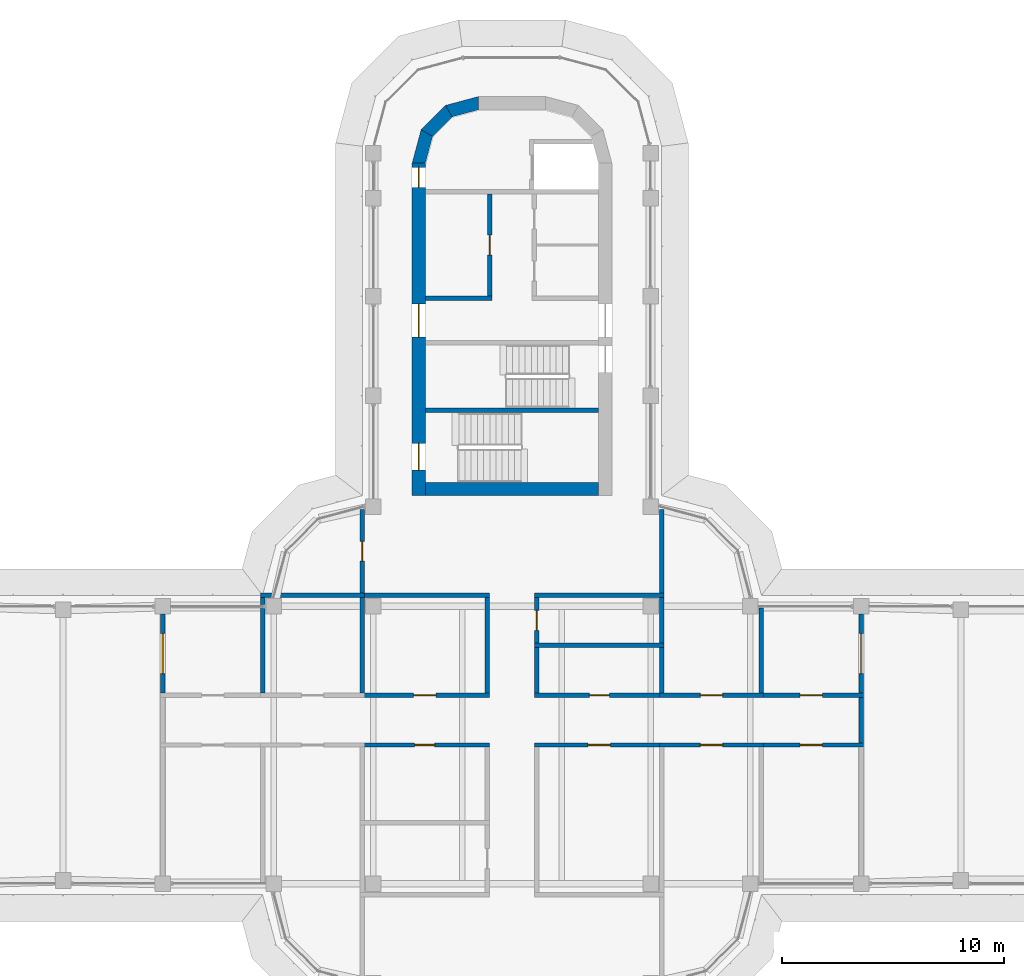
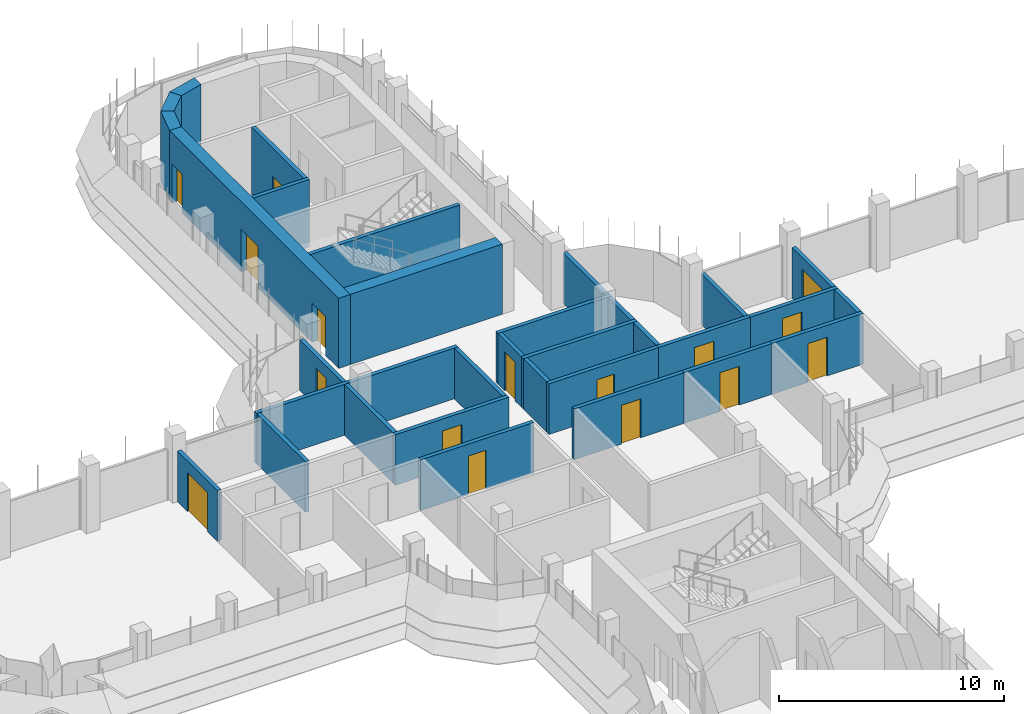
# One storey, part 14 of 18: 33 walls, 16 doors, 16 openings.
"""IFC4 building model written with IfcOpenShell, lengths in metres."""

from ifc_helpers import new_model, si_unit, direction, frame, frame_2d, origin, place, context, subcontext, project, spatial, polyline, rectangle, outline, extrude, material, layer, layer_set, type_object, element, fill, save


model = new_model("IFC4")

# Units and contexts
model_context = context("Model", 3, precision=1e-05, world=origin(), true_north=direction((0.0, 1.0)))
body_context = subcontext(model_context, "Body", "Model", "MODEL_VIEW")
ifc_project = project(units=[si_unit("LENGTHUNIT", "METRE"), si_unit("AREAUNIT", "SQUARE_METRE"), si_unit("VOLUMEUNIT", "CUBIC_METRE"), si_unit("PLANEANGLEUNIT", "RADIAN"), si_unit("MASSUNIT", "GRAM", prefix="KILO")], contexts=[model_context])

# Site, building, storey
site_placement = place(None, origin())
site = spatial("IfcSite", under=ifc_project, at=site_placement, CompositionType="ELEMENT")
building_placement = place(site_placement, origin())
building = spatial("IfcBuilding", under=site, at=building_placement, Name="Zarbagh Exchange Tower", CompositionType="ELEMENT")
storey_placement = place(building_placement, frame((0.0, 0.0, 210.60009765625)))
storey = spatial("IfcBuildingStorey", under=building, at=storey_placement, Name="L51", CompositionType="ELEMENT", Elevation=210.60009765625)

# Wall, opening, door
ifc_material_1 = material(Name="Fire-rated plasterboard partition")
ifc_layer_1 = layer(ifc_material_1, 0.199951171875)
ifc_layer_set_1 = layer_set([ifc_layer_1], Name="RATED PARTITION 200")
wall_type_1 = type_object("IfcWallType", Name="RATED PARTITION 200", PredefinedType="PARTITIONING", material=ifc_layer_set_1)
wall_1_placement = place(storey_placement, frame((1.02490234375, 2.25, 0.0), z_axis=(0.0, 0.0, 1.0), x_axis=(1.0, 0.0, 0.0)))
wall_1 = element("IfcWall", 1, at=wall_1_placement, inside=storey, type_object=wall_type_1, Name="Partition W-2201", PredefinedType="PARTITIONING", context=body_context, shape_type="SweptSolid", body=[
    extrude(rectangle(XDim=5.8251953125, YDim=0.199951171875, at=frame_2d((2.91259765625, 0.0))), origin(), (0.0, 0.0, 1.0), 2.75),
])
opening_1_placement = place(wall_1_placement, frame((2.46240234375, 0.0, 0.0)))
opening_1 = element("IfcOpeningElement", 2, at=opening_1_placement, cuts=wall_1, Name="Opening D-2205", PredefinedType="OPENING", context=body_context, shape_type="SweptSolid", body=[
    extrude(rectangle(XDim=0.89990234375, YDim=2.10009765625, at=frame_2d((0.449951171875, 1.050048828125))), frame((0.0, 0.10986328125, 0.0), z_axis=(0.0, -1.0, 0.0), x_axis=(1.0, 0.0, 0.0)), (0.0, 0.0, 1.0), 0.219970703125),
])
ifc_material_2 = material(Name="Timber door leaf", Category="wood")
door_type_1 = type_object("IfcDoorType", Name="DOOR 900 X 2100", OperationType="NOTDEFINED", PredefinedType="DOOR", material=ifc_material_2)
door_1_placement = place(opening_1_placement, origin())
door_1 = element("IfcDoor", 3, at=door_1_placement, inside=storey, type_object=door_type_1, Name="Door D-2205", OperationType="SINGLE_SWING_RIGHT", OverallHeight=2.10009765625, OverallWidth=0.89990234375, PredefinedType="DOOR", context=body_context, shape_type="SweptSolid", body=[
    extrude(rectangle(XDim=0.89990234375, YDim=2.10009765625, at=frame_2d((0.449951171875, 1.050048828125))), frame((0.0, 0.02490234375, 0.0), z_axis=(0.0, -1.0, 0.0), x_axis=(1.0, 0.0, 0.0)), (0.0, 0.0, 1.0), 0.050048828125),
])
fill(opening_1, door_1)

wall_2_placement = place(storey_placement, frame((6.64990234375, 2.25, 0.0), z_axis=(0.0, 0.0, 1.0), x_axis=(1.0, 0.0, 0.0)))
wall_2 = element("IfcWall", 4, at=wall_2_placement, inside=storey, type_object=wall_type_1, Name="Partition W-2202", PredefinedType="PARTITIONING", context=body_context, shape_type="SweptSolid", body=[
    extrude(rectangle(XDim=4.7001953125, YDim=0.199951171875, at=frame_2d((2.35009765625, 0.0))), origin(), (0.0, 0.0, 1.0), 2.75),
])
opening_2_placement = place(wall_2_placement, frame((1.85009765625, 0.0, 0.0)))
opening_2 = element("IfcOpeningElement", 5, at=opening_2_placement, cuts=wall_2, Name="Opening D-2207", PredefinedType="OPENING", context=body_context, shape_type="SweptSolid", body=[
    extrude(rectangle(XDim=1.0, YDim=2.10009765625, at=frame_2d((0.5, 1.050048828125))), frame((0.0, 0.10986328125, 0.0), z_axis=(0.0, -1.0, 0.0), x_axis=(1.0, 0.0, 0.0)), (0.0, 0.0, 1.0), 0.219970703125),
])
ifc_material_3 = material(Name="Steel door set", Category="steel")
door_type_2 = type_object("IfcDoorType", Name="FIRE DOOR 1000 X 2100 FD30S", OperationType="NOTDEFINED", PredefinedType="DOOR", material=ifc_material_3)
door_2_placement = place(opening_2_placement, origin())
door_2 = element("IfcDoor", 6, at=door_2_placement, inside=storey, type_object=door_type_2, Name="Door D-2207", OperationType="SINGLE_SWING_RIGHT", OverallHeight=2.10009765625, OverallWidth=1.0, PredefinedType="DOOR", context=body_context, shape_type="SweptSolid", body=[
    extrude(rectangle(XDim=1.0, YDim=2.10009765625, at=frame_2d((0.5, 1.050048828125))), frame((0.0, 0.02490234375, 0.0), z_axis=(0.0, -1.0, 0.0), x_axis=(1.0, 0.0, 0.0)), (0.0, 0.0, 1.0), 0.050048828125),
])
fill(opening_2, door_2)

wall_3_placement = place(storey_placement, frame((-6.85009765625, 2.25, 0.0), z_axis=(0.0, 0.0, 1.0), x_axis=(1.0, 0.0, 0.0)))
wall_3 = element("IfcWall", 7, at=wall_3_placement, inside=storey, type_object=wall_type_1, Name="Partition W-2203", PredefinedType="PARTITIONING", context=body_context, shape_type="SweptSolid", body=[
    extrude(rectangle(XDim=5.8251953125, YDim=0.199951171875, at=frame_2d((2.91259765625, 0.0))), origin(), (0.0, 0.0, 1.0), 2.75),
])
opening_3_placement = place(wall_3_placement, frame((2.41259765625, 0.0, 0.0)))
opening_3 = element("IfcOpeningElement", 8, at=opening_3_placement, cuts=wall_3, Name="Opening D-2208", PredefinedType="OPENING", context=body_context, shape_type="SweptSolid", body=[
    extrude(rectangle(XDim=1.0, YDim=2.10009765625, at=frame_2d((0.5, 1.050048828125))), frame((0.0, 0.10986328125, 0.0), z_axis=(0.0, -1.0, 0.0), x_axis=(1.0, 0.0, 0.0)), (0.0, 0.0, 1.0), 0.219970703125),
])
door_3_placement = place(opening_3_placement, origin())
door_3 = element("IfcDoor", 9, at=door_3_placement, inside=storey, type_object=door_type_2, Name="Door D-2208", OperationType="SINGLE_SWING_RIGHT", OverallHeight=2.10009765625, OverallWidth=1.0, PredefinedType="DOOR", context=body_context, shape_type="SweptSolid", body=[
    extrude(rectangle(XDim=1.0, YDim=2.10009765625, at=frame_2d((0.5, 1.050048828125))), frame((0.0, 0.02490234375, 0.0), z_axis=(0.0, -1.0, 0.0), x_axis=(1.0, 0.0, 0.0)), (0.0, 0.0, 1.0), 0.050048828125),
])
fill(opening_3, door_3)

wall_4_placement = place(storey_placement, frame((6.85009765625, 0.0, 0.0), z_axis=(0.0, 0.0, 1.0), x_axis=(-1.0, 0.0, 0.0)))
wall_4 = element("IfcWall", 10, at=wall_4_placement, inside=storey, type_object=wall_type_1, Name="Partition W-2205", PredefinedType="PARTITIONING", context=body_context, shape_type="SweptSolid", body=[
    extrude(rectangle(XDim=5.8251953125, YDim=0.199951171875, at=frame_2d((2.91259765625, 0.0))), origin(), (0.0, 0.0, 1.0), 2.75),
])
opening_4_placement = place(wall_4_placement, frame((2.41259765625, 0.0, 0.0)))
opening_4 = element("IfcOpeningElement", 11, at=opening_4_placement, cuts=wall_4, Name="Opening D-2211", PredefinedType="OPENING", context=body_context, shape_type="SweptSolid", body=[
    extrude(rectangle(XDim=1.0, YDim=2.10009765625, at=frame_2d((0.5, 1.050048828125))), frame((0.0, 0.10986328125, 0.0), z_axis=(0.0, -1.0, 0.0), x_axis=(1.0, 0.0, 0.0)), (0.0, 0.0, 1.0), 0.219970703125),
])
door_4_placement = place(opening_4_placement, origin())
door_4 = element("IfcDoor", 12, at=door_4_placement, inside=storey, type_object=door_type_2, Name="Door D-2211", OperationType="SINGLE_SWING_RIGHT", OverallHeight=2.10009765625, OverallWidth=1.0, PredefinedType="DOOR", context=body_context, shape_type="SweptSolid", body=[
    extrude(rectangle(XDim=1.0, YDim=2.10009765625, at=frame_2d((0.5, 1.050048828125))), frame((0.0, 0.02490234375, 0.0), z_axis=(0.0, -1.0, 0.0), x_axis=(1.0, 0.0, 0.0)), (0.0, 0.0, 1.0), 0.050048828125),
])
fill(opening_4, door_4)

wall_5_placement = place(storey_placement, frame((11.35009765625, 0.0, 0.0), z_axis=(0.0, 0.0, 1.0), x_axis=(-1.0, 0.0, 0.0)))
wall_5 = element("IfcWall", 13, at=wall_5_placement, inside=storey, type_object=wall_type_1, Name="Partition W-2206", PredefinedType="PARTITIONING", context=body_context, shape_type="SweptSolid", body=[
    extrude(rectangle(XDim=4.7001953125, YDim=0.199951171875, at=frame_2d((2.35009765625, 0.0))), origin(), (0.0, 0.0, 1.0), 2.75),
])
opening_5_placement = place(wall_5_placement, frame((1.85009765625, 0.0, 0.0)))
opening_5 = element("IfcOpeningElement", 14, at=opening_5_placement, cuts=wall_5, Name="Opening D-2212", PredefinedType="OPENING", context=body_context, shape_type="SweptSolid", body=[
    extrude(rectangle(XDim=1.0, YDim=2.10009765625, at=frame_2d((0.5, 1.050048828125))), frame((0.0, 0.10986328125, 0.0), z_axis=(0.0, -1.0, 0.0), x_axis=(1.0, 0.0, 0.0)), (0.0, 0.0, 1.0), 0.219970703125),
])
door_5_placement = place(opening_5_placement, origin())
door_5 = element("IfcDoor", 15, at=door_5_placement, inside=storey, type_object=door_type_2, Name="Door D-2212", OperationType="SINGLE_SWING_RIGHT", OverallHeight=2.10009765625, OverallWidth=1.0, PredefinedType="DOOR", context=body_context, shape_type="SweptSolid", body=[
    extrude(rectangle(XDim=1.0, YDim=2.10009765625, at=frame_2d((0.5, 1.050048828125))), frame((0.0, 0.02490234375, 0.0), z_axis=(0.0, -1.0, 0.0), x_axis=(1.0, 0.0, 0.0)), (0.0, 0.0, 1.0), 0.050048828125),
])
fill(opening_5, door_5)

wall_6_placement = place(storey_placement, frame((-1.02490234375, 0.0, 0.0), z_axis=(0.0, 0.0, 1.0), x_axis=(-1.0, 0.0, 0.0)))
wall_6 = element("IfcWall", 16, at=wall_6_placement, inside=storey, type_object=wall_type_1, Name="Partition W-2207", PredefinedType="PARTITIONING", context=body_context, shape_type="SweptSolid", body=[
    extrude(rectangle(XDim=5.8251953125, YDim=0.199951171875, at=frame_2d((2.91259765625, 0.0))), origin(), (0.0, 0.0, 1.0), 2.75),
])
opening_6_placement = place(wall_6_placement, frame((2.46240234375, 0.0, 0.0)))
opening_6 = element("IfcOpeningElement", 17, at=opening_6_placement, cuts=wall_6, Name="Opening D-2213", PredefinedType="OPENING", context=body_context, shape_type="SweptSolid", body=[
    extrude(rectangle(XDim=0.89990234375, YDim=2.10009765625, at=frame_2d((0.449951171875, 1.050048828125))), frame((0.0, 0.10986328125, 0.0), z_axis=(0.0, -1.0, 0.0), x_axis=(1.0, 0.0, 0.0)), (0.0, 0.0, 1.0), 0.219970703125),
])
door_6_placement = place(opening_6_placement, origin())
door_6 = element("IfcDoor", 18, at=door_6_placement, inside=storey, type_object=door_type_1, Name="Door D-2213", OperationType="SINGLE_SWING_RIGHT", OverallHeight=2.10009765625, OverallWidth=0.89990234375, PredefinedType="DOOR", context=body_context, shape_type="SweptSolid", body=[
    extrude(rectangle(XDim=0.89990234375, YDim=2.10009765625, at=frame_2d((0.449951171875, 1.050048828125))), frame((0.0, 0.02490234375, 0.0), z_axis=(0.0, -1.0, 0.0), x_axis=(1.0, 0.0, 0.0)), (0.0, 0.0, 1.0), 0.050048828125),
])
fill(opening_6, door_6)

wall_7_placement = place(storey_placement, frame((11.14990234375, 2.25, 0.0), z_axis=(0.0, 0.0, 1.0), x_axis=(1.0, 0.0, 0.0)))
wall_7 = element("IfcWall", 19, at=wall_7_placement, inside=storey, type_object=wall_type_1, Name="Partition W-2209", PredefinedType="PARTITIONING", context=body_context, shape_type="SweptSolid", body=[
    extrude(rectangle(XDim=4.7001953125, YDim=0.199951171875, at=frame_2d((2.35009765625, 0.0))), origin(), (0.0, 0.0, 1.0), 2.75),
])
opening_7_placement = place(wall_7_placement, frame((1.85009765625, 0.0, 0.0)))
opening_7 = element("IfcOpeningElement", 20, at=opening_7_placement, cuts=wall_7, Name="Opening D-2203", PredefinedType="OPENING", context=body_context, shape_type="SweptSolid", body=[
    extrude(rectangle(XDim=1.0, YDim=2.10009765625, at=frame_2d((0.5, 1.050048828125))), frame((0.0, 0.10986328125, 0.0), z_axis=(0.0, -1.0, 0.0), x_axis=(1.0, 0.0, 0.0)), (0.0, 0.0, 1.0), 0.219970703125),
])
door_7_placement = place(opening_7_placement, origin())
door_7 = element("IfcDoor", 21, at=door_7_placement, inside=storey, type_object=door_type_2, Name="Door D-2203", OperationType="SINGLE_SWING_RIGHT", OverallHeight=2.10009765625, OverallWidth=1.0, PredefinedType="DOOR", context=body_context, shape_type="SweptSolid", body=[
    extrude(rectangle(XDim=1.0, YDim=2.10009765625, at=frame_2d((0.5, 1.050048828125))), frame((0.0, 0.02490234375, 0.0), z_axis=(0.0, -1.0, 0.0), x_axis=(1.0, 0.0, 0.0)), (0.0, 0.0, 1.0), 0.050048828125),
])
fill(opening_7, door_7)

wall_8_placement = place(storey_placement, frame((15.85009765625, 0.0, 0.0), z_axis=(0.0, 0.0, 1.0), x_axis=(-1.0, 0.0, 0.0)))
wall_8 = element("IfcWall", 22, at=wall_8_placement, inside=storey, type_object=wall_type_1, Name="Partition W-2210", PredefinedType="PARTITIONING", context=body_context, shape_type="SweptSolid", body=[
    extrude(rectangle(XDim=4.7001953125, YDim=0.199951171875, at=frame_2d((2.35009765625, 0.0))), origin(), (0.0, 0.0, 1.0), 2.75),
])
opening_8_placement = place(wall_8_placement, frame((1.85009765625, 0.0, 0.0)))
opening_8 = element("IfcOpeningElement", 23, at=opening_8_placement, cuts=wall_8, Name="Opening D-2204", PredefinedType="OPENING", context=body_context, shape_type="SweptSolid", body=[
    extrude(rectangle(XDim=1.0, YDim=2.10009765625, at=frame_2d((0.5, 1.050048828125))), frame((0.0, 0.10986328125, 0.0), z_axis=(0.0, -1.0, 0.0), x_axis=(1.0, 0.0, 0.0)), (0.0, 0.0, 1.0), 0.219970703125),
])
door_8_placement = place(opening_8_placement, origin())
door_8 = element("IfcDoor", 24, at=door_8_placement, inside=storey, type_object=door_type_2, Name="Door D-2204", OperationType="SINGLE_SWING_RIGHT", OverallHeight=2.10009765625, OverallWidth=1.0, PredefinedType="DOOR", context=body_context, shape_type="SweptSolid", body=[
    extrude(rectangle(XDim=1.0, YDim=2.10009765625, at=frame_2d((0.5, 1.050048828125))), frame((0.0, 0.02490234375, 0.0), z_axis=(0.0, -1.0, 0.0), x_axis=(1.0, 0.0, 0.0)), (0.0, 0.0, 1.0), 0.050048828125),
])
fill(opening_8, door_8)

# Walls
for number, where, z_axis, x_axis, name in (
    (25, (15.75, 0.10009765625, 0.0), (0.0, 0.0, 1.0), (0.0, 1.0, 0.0), "Partition W-2211"),
    (26, (1.125, 2.35009765625, 0.0), (0.0, 0.0, 1.0), (0.0, 1.0, 0.0), "Partition W-2215"),
):
    element("IfcWall", number, at=place(storey_placement, frame(where, z_axis=z_axis, x_axis=x_axis)), inside=storey, type_object=wall_type_1, Name=name, PredefinedType="PARTITIONING", context=body_context, shape_type="SweptSolid", body=[
        extrude(rectangle(XDim=2.0498046875, YDim=0.199951171875, at=frame_2d((1.02490234375, 0.0))), origin(), (0.0, 0.0, 1.0), 2.75),
    ])

# Wall, opening, door
wall_9_placement = place(storey_placement, frame((1.125, 6.64990234375, 0.0), z_axis=(0.0, 0.0, 1.0), x_axis=(0.0, -1.0, 0.0)))
wall_9 = element("IfcWall", 27, at=wall_9_placement, inside=storey, type_object=wall_type_1, Name="Partition W-2216", PredefinedType="PARTITIONING", context=body_context, shape_type="SweptSolid", body=[
    extrude(rectangle(XDim=2.0498046875, YDim=0.199951171875, at=frame_2d((1.02490234375, 0.0))), origin(), (0.0, 0.0, 1.0), 2.75),
])
opening_9_placement = place(wall_9_placement, frame((0.574951171875, 0.0, 0.0)))
opening_9 = element("IfcOpeningElement", 28, at=opening_9_placement, cuts=wall_9, Name="Opening D-2206", PredefinedType="OPENING", context=body_context, shape_type="SweptSolid", body=[
    extrude(rectangle(XDim=0.89990234375, YDim=2.10009765625, at=frame_2d((0.449951171875, 1.050048828125))), frame((0.0, 0.10986328125, 0.0), z_axis=(0.0, -1.0, 0.0), x_axis=(1.0, 0.0, 0.0)), (0.0, 0.0, 1.0), 0.219970703125),
])
door_9_placement = place(opening_9_placement, origin())
door_9 = element("IfcDoor", 29, at=door_9_placement, inside=storey, type_object=door_type_1, Name="Door D-2206", OperationType="SINGLE_SWING_RIGHT", OverallHeight=2.10009765625, OverallWidth=0.89990234375, PredefinedType="DOOR", context=body_context, shape_type="SweptSolid", body=[
    extrude(rectangle(XDim=0.89990234375, YDim=2.10009765625, at=frame_2d((0.449951171875, 1.050048828125))), frame((0.0, 0.02490234375, 0.0), z_axis=(0.0, -1.0, 0.0), x_axis=(1.0, 0.0, 0.0)), (0.0, 0.0, 1.0), 0.050048828125),
])
fill(opening_9, door_9)

# Walls
wall_10_placement = place(storey_placement, frame((-1.125, 2.35009765625, 0.0), z_axis=(0.0, 0.0, 1.0), x_axis=(0.0, 1.0, 0.0)))
element("IfcWall", 30, at=wall_10_placement, inside=storey, type_object=wall_type_1, Name="Partition W-2217", PredefinedType="PARTITIONING", context=body_context, shape_type="SweptSolid", body=[
    extrude(rectangle(XDim=4.2998046875, YDim=0.199951171875, at=frame_2d((2.14990234375, 0.0))), origin(), (0.0, 0.0, 1.0), 2.75),
])
wall_11_placement = place(storey_placement, frame((1.02490234375, 6.75, 0.0), z_axis=(0.0, 0.0, 1.0), x_axis=(1.0, 0.0, 0.0)))
element("IfcWall", 31, at=wall_11_placement, inside=storey, type_object=wall_type_1, Name="Partition W-2221", PredefinedType="PARTITIONING", context=body_context, shape_type="SweptSolid", body=[
    extrude(rectangle(XDim=5.8251953125, YDim=0.199951171875, at=frame_2d((2.91259765625, 0.0))), origin(), (0.0, 0.0, 1.0), 2.75),
])
wall_12_placement = place(storey_placement, frame((6.75, 6.85009765625, 0.0), z_axis=(0.0, 0.0, 1.0), x_axis=(0.0, 1.0, 0.0)))
element("IfcWall", 32, at=wall_12_placement, inside=storey, type_object=wall_type_1, Name="Partition W-2222", PredefinedType="PARTITIONING", context=body_context, shape_type="SweptSolid", body=[
    extrude(rectangle(XDim=3.77978515625, YDim=0.199951171875, at=frame_2d((1.889892578125, 0.0))), origin(), (0.0, 0.0, 1.0), 2.75),
])
wall_13_placement = place(storey_placement, frame((-6.85009765625, 6.75, 0.0), z_axis=(0.0, 0.0, 1.0), x_axis=(1.0, 0.0, 0.0)))
element("IfcWall", 33, at=wall_13_placement, inside=storey, type_object=wall_type_1, Name="Partition W-2223", PredefinedType="PARTITIONING", context=body_context, shape_type="SweptSolid", body=[
    extrude(rectangle(XDim=5.8251953125, YDim=0.199951171875, at=frame_2d((2.91259765625, 0.0))), origin(), (0.0, 0.0, 1.0), 2.75),
])

# Wall, opening, door
wall_14_placement = place(storey_placement, frame((-6.75, 6.85009765625, 0.0), z_axis=(0.0, 0.0, 1.0), x_axis=(0.0, 1.0, 0.0)))
wall_14 = element("IfcWall", 34, at=wall_14_placement, inside=storey, type_object=wall_type_1, Name="Partition W-2224", PredefinedType="PARTITIONING", context=body_context, shape_type="SweptSolid", body=[
    extrude(rectangle(XDim=3.77978515625, YDim=0.199951171875, at=frame_2d((1.889892578125, 0.0))), origin(), (0.0, 0.0, 1.0), 2.75),
])
opening_10_placement = place(wall_14_placement, frame((1.43994140625, 0.0, 0.0)))
opening_10 = element("IfcOpeningElement", 35, at=opening_10_placement, cuts=wall_14, Name="Opening D-2210", PredefinedType="OPENING", context=body_context, shape_type="SweptSolid", body=[
    extrude(rectangle(XDim=0.89990234375, YDim=2.10009765625, at=frame_2d((0.449951171875, 1.050048828125))), frame((0.0, 0.10986328125, 0.0), z_axis=(0.0, -1.0, 0.0), x_axis=(1.0, 0.0, 0.0)), (0.0, 0.0, 1.0), 0.219970703125),
])
door_10_placement = place(opening_10_placement, origin())
door_10 = element("IfcDoor", 36, at=door_10_placement, inside=storey, type_object=door_type_1, Name="Door D-2210", OperationType="SINGLE_SWING_LEFT", OverallHeight=2.10009765625, OverallWidth=0.89990234375, PredefinedType="DOOR", context=body_context, shape_type="SweptSolid", body=[
    extrude(rectangle(XDim=0.89990234375, YDim=2.10009765625, at=frame_2d((0.449951171875, 1.050048828125))), frame((0.0, 0.02490234375, 0.0), z_axis=(0.0, -1.0, 0.0), x_axis=(1.0, 0.0, 0.0)), (0.0, 0.0, 1.0), 0.050048828125),
])
fill(opening_10, door_10)

# Walls
wall_15_placement = place(storey_placement, frame((1.02490234375, 4.5, 0.0), z_axis=(0.0, 0.0, 1.0), x_axis=(1.0, 0.0, 0.0)))
element("IfcWall", 37, at=wall_15_placement, inside=storey, type_object=wall_type_1, Name="Partition W-2229", PredefinedType="PARTITIONING", context=body_context, shape_type="SweptSolid", body=[
    extrude(rectangle(XDim=5.8251953125, YDim=0.199951171875, at=frame_2d((2.91259765625, 0.0))), origin(), (0.0, 0.0, 1.0), 2.75),
])
for number, where, z_axis, x_axis, name in (
    (38, (6.75, 2.35009765625, 0.0), (0.0, 0.0, 1.0), (0.0, 1.0, 0.0), "Partition W-2230"),
    (39, (6.75, 4.60009765625, 0.0), (0.0, 0.0, 1.0), (0.0, 1.0, 0.0), "Partition W-2231"),
):
    element("IfcWall", number, at=place(storey_placement, frame(where, z_axis=z_axis, x_axis=x_axis)), inside=storey, type_object=wall_type_1, Name=name, PredefinedType="PARTITIONING", context=body_context, shape_type="SweptSolid", body=[
        extrude(rectangle(XDim=2.0498046875, YDim=0.199951171875, at=frame_2d((1.02490234375, 0.0))), origin(), (0.0, 0.0, 1.0), 2.75),
    ])
wall_16_placement = place(storey_placement, frame((11.25, 2.35009765625, 0.0), z_axis=(0.0, 0.0, 1.0), x_axis=(0.0, 1.0, 0.0)))
element("IfcWall", 40, at=wall_16_placement, inside=storey, type_object=wall_type_1, Name="Partition W-2232", PredefinedType="PARTITIONING", context=body_context, shape_type="SweptSolid", body=[
    extrude(rectangle(XDim=3.81982421875, YDim=0.199951171875, at=frame_2d((1.909912109375, 0.0))), origin(), (0.0, 0.0, 1.0), 2.75),
])
wall_17_placement = place(storey_placement, frame((-6.75, 2.35009765625, 0.0), z_axis=(0.0, 0.0, 1.0), x_axis=(0.0, 1.0, 0.0)))
element("IfcWall", 41, at=wall_17_placement, inside=storey, type_object=wall_type_1, Name="Partition W-2233", PredefinedType="PARTITIONING", context=body_context, shape_type="SweptSolid", body=[
    extrude(rectangle(XDim=4.2998046875, YDim=0.199951171875, at=frame_2d((2.14990234375, 0.0))), origin(), (0.0, 0.0, 1.0), 2.75),
])
wall_18_placement = place(storey_placement, frame((-11.35009765625, 6.75, 0.0), z_axis=(0.0, 0.0, 1.0), x_axis=(1.0, 0.0, 0.0)))
element("IfcWall", 42, at=wall_18_placement, inside=storey, type_object=wall_type_1, Name="Partition W-2234", PredefinedType="PARTITIONING", context=body_context, shape_type="SweptSolid", body=[
    extrude(rectangle(XDim=4.7001953125, YDim=0.199951171875, at=frame_2d((2.35009765625, 0.0))), origin(), (0.0, 0.0, 1.0), 2.75),
])
wall_19_placement = place(storey_placement, frame((-11.25, 2.35009765625, 0.0), z_axis=(0.0, 0.0, 1.0), x_axis=(0.0, 1.0, 0.0)))
element("IfcWall", 43, at=wall_19_placement, inside=storey, type_object=wall_type_1, Name="Partition W-2235", PredefinedType="PARTITIONING", context=body_context, shape_type="SweptSolid", body=[
    extrude(rectangle(XDim=4.2998046875, YDim=0.199951171875, at=frame_2d((2.14990234375, 0.0))), origin(), (0.0, 0.0, 1.0), 2.75),
])

# Wall, opening, door
wall_20_placement = place(storey_placement, frame((15.75, 5.89990234375, 0.0), z_axis=(0.0, 0.0, 1.0), x_axis=(0.0, -1.0, 0.0)))
wall_20 = element("IfcWall", 44, at=wall_20_placement, inside=storey, type_object=wall_type_1, Name="Partition W-2242", PredefinedType="PARTITIONING", context=body_context, shape_type="SweptSolid", body=[
    extrude(rectangle(XDim=3.5498046875, YDim=0.199951171875, at=frame_2d((1.77490234375, 0.0))), origin(), (0.0, 0.0, 1.0), 2.75),
])
opening_11_placement = place(wall_20_placement, frame((0.875, 0.0, 0.0)))
opening_11 = element("IfcOpeningElement", 45, at=opening_11_placement, cuts=wall_20, Name="Opening D-2202", PredefinedType="OPENING", context=body_context, shape_type="SweptSolid", body=[
    extrude(rectangle(XDim=1.800048828125, YDim=2.10009765625, at=frame_2d((0.89990234375, 1.050048828125))), frame((0.0, 0.10986328125, 0.0), z_axis=(0.0, -1.0, 0.0), x_axis=(1.0, 0.0, 0.0)), (0.0, 0.0, 1.0), 0.219970703125),
])
door_type_3 = type_object("IfcDoorType", Name="FIRE DOUBLE DOOR 1800 X 2100 FD30S", OperationType="DOUBLE_DOOR_SINGLE_SWING", PredefinedType="DOOR", material=ifc_material_3)
door_11_placement = place(opening_11_placement, origin())
door_11 = element("IfcDoor", 46, at=door_11_placement, inside=storey, type_object=door_type_3, Name="Door D-2202", OperationType="DOUBLE_DOOR_SINGLE_SWING", OverallHeight=2.10009765625, OverallWidth=1.800048828125, PredefinedType="DOOR", context=body_context, shape_type="SweptSolid", body=[
    extrude(rectangle(XDim=1.800048828125, YDim=2.10009765625, at=frame_2d((0.89990234375, 1.050048828125))), frame((0.0, 0.02490234375, 0.0), z_axis=(0.0, -1.0, 0.0), x_axis=(1.0, 0.0, 0.0)), (0.0, 0.0, 1.0), 0.050048828125),
])
fill(opening_11, door_11)

wall_21_placement = place(storey_placement, frame((-15.75, 2.35009765625, 0.0), z_axis=(0.0, 0.0, 1.0), x_axis=(0.0, 1.0, 0.0)))
wall_21 = element("IfcWall", 47, at=wall_21_placement, inside=storey, type_object=wall_type_1, Name="Partition W-2245", PredefinedType="PARTITIONING", context=body_context, shape_type="SweptSolid", body=[
    extrude(rectangle(XDim=3.5498046875, YDim=0.199951171875, at=frame_2d((1.77490234375, 0.0))), origin(), (0.0, 0.0, 1.0), 2.75),
])
opening_12_placement = place(wall_21_placement, frame((0.875, 0.0, 0.0)))
opening_12 = element("IfcOpeningElement", 48, at=opening_12_placement, cuts=wall_21, Name="Opening D-2216", PredefinedType="OPENING", context=body_context, shape_type="SweptSolid", body=[
    extrude(rectangle(XDim=1.800048828125, YDim=2.10009765625, at=frame_2d((0.89990234375, 1.050048828125))), frame((0.0, 0.10986328125, 0.0), z_axis=(0.0, -1.0, 0.0), x_axis=(1.0, 0.0, 0.0)), (0.0, 0.0, 1.0), 0.219970703125),
])
door_12_placement = place(opening_12_placement, origin())
door_12 = element("IfcDoor", 49, at=door_12_placement, inside=storey, type_object=door_type_3, Name="Door D-2216", OperationType="DOUBLE_DOOR_SINGLE_SWING", OverallHeight=2.10009765625, OverallWidth=1.800048828125, PredefinedType="DOOR", context=body_context, shape_type="SweptSolid", body=[
    extrude(rectangle(XDim=1.800048828125, YDim=2.10009765625, at=frame_2d((0.89990234375, 1.050048828125))), frame((0.0, 0.02490234375, 0.0), z_axis=(0.0, -1.0, 0.0), x_axis=(1.0, 0.0, 0.0)), (0.0, 0.0, 1.0), 0.050048828125),
])
fill(opening_12, door_12)

# Walls
ifc_material_4 = material(Name="Concrete C50/60", Category="concrete")
ifc_layer_2 = layer(ifc_material_4, 0.60009765625)
ifc_layer_set_2 = layer_set([ifc_layer_2], Name="RC core corner wall 600 C50/60")
wall_type_2 = type_object("IfcWallType", Name="RC core corner wall 600 C50/60", PredefinedType="SHEAR", material=ifc_layer_set_2)
wall_22_placement = place(storey_placement, origin())
element("IfcWall", 50, at=wall_22_placement, inside=storey, type_object=wall_type_2, Name="CW8 core N corner W", PredefinedType="SHEAR", context=body_context, shape_type="SweptSolid", body=[
    extrude(outline(polyline([(-4.5, 26.25), (-4.09814453125, 27.75), (-3.57861328125, 27.449951171875), (-3.89990234375, 26.25), (-4.5, 26.25)])), origin(), (0.0, 0.0, 1.0), 3.7998046875),
])
wall_23_placement = place(storey_placement, origin())
element("IfcWall", 51, at=wall_23_placement, inside=storey, type_object=wall_type_2, Name="CW8 core N corner W", PredefinedType="SHEAR", context=body_context, shape_type="SweptSolid", body=[
    extrude(outline(polyline([(-4.09814453125, 27.75), (-3.0, 28.84814453125), (-2.699951171875, 28.32861328125), (-3.57861328125, 27.449951171875), (-4.09814453125, 27.75)])), origin(), (0.0, 0.0, 1.0), 3.7998046875),
])
wall_24_placement = place(storey_placement, origin())
element("IfcWall", 52, at=wall_24_placement, inside=storey, type_object=wall_type_2, Name="CW8 core N corner W", PredefinedType="SHEAR", context=body_context, shape_type="SweptSolid", body=[
    extrude(outline(polyline([(-3.0, 28.84814453125), (-1.5, 29.25), (-1.5, 28.64990234375), (-2.699951171875, 28.32861328125), (-3.0, 28.84814453125)])), origin(), (0.0, 0.0, 1.0), 3.7998046875),
])

# Wall, openings, doors
ifc_layer_3 = layer(ifc_material_4, 0.60009765625)
ifc_layer_set_3 = layer_set([ifc_layer_3], Name="RC core wall 600 C50/60")
wall_type_3 = type_object("IfcWallType", Name="RC core wall 600 C50/60", PredefinedType="SHEAR", material=ifc_layer_set_3)
wall_25_placement = place(storey_placement, frame((-4.199951171875, 11.25, 0.0), z_axis=(0.0, 0.0, 1.0), x_axis=(0.0, 1.0, 0.0)))
wall_25 = element("IfcWall", 53, at=wall_25_placement, inside=storey, type_object=wall_type_3, Name="CW7 core N W", PredefinedType="SHEAR", context=body_context, shape_type="SweptSolid", body=[
    extrude(rectangle(XDim=15.0, YDim=0.60009765625, at=frame_2d((7.5, 0.0))), origin(), (0.0, 0.0, 1.0), 3.7998046875),
])
opening_13_placement = place(wall_25_placement, frame((7.14990234375, 0.0, 0.0)))
opening_13 = element("IfcOpeningElement", 54, at=opening_13_placement, cuts=wall_25, Name="Opening CD1-1500", PredefinedType="OPENING", context=body_context, shape_type="SweptSolid", body=[
    extrude(rectangle(XDim=1.5, YDim=2.300048828125, at=frame_2d((0.75, 1.14990234375))), frame((0.0, 0.31005859375, 0.0), z_axis=(0.0, -1.0, 0.0), x_axis=(1.0, 0.0, 0.0)), (0.0, 0.0, 1.0), 0.6201171875),
])
opening_14_placement = place(wall_25_placement, frame((13.89990234375, 0.0, 0.0)))
opening_14 = element("IfcOpeningElement", 55, at=opening_14_placement, cuts=wall_25, Name="Opening CD2-900", PredefinedType="OPENING", context=body_context, shape_type="SweptSolid", body=[
    extrude(rectangle(XDim=0.89990234375, YDim=2.10009765625, at=frame_2d((0.449951171875, 1.050048828125))), frame((0.0, 0.31005859375, 0.0), z_axis=(0.0, -1.0, 0.0), x_axis=(1.0, 0.0, 0.0)), (0.0, 0.0, 1.0), 0.6201171875),
])
opening_15_placement = place(wall_25_placement, frame((1.14990234375, 0.0, 0.0)))
opening_15 = element("IfcOpeningElement", 56, at=opening_15_placement, cuts=wall_25, Name="Opening SD1-1200", PredefinedType="OPENING", context=body_context, shape_type="SweptSolid", body=[
    extrude(rectangle(XDim=1.199951171875, YDim=2.10009765625, at=frame_2d((0.60009765625, 1.050048828125))), frame((0.0, 0.31005859375, 0.0), z_axis=(0.0, -1.0, 0.0), x_axis=(1.0, 0.0, 0.0)), (0.0, 0.0, 1.0), 0.6201171875),
])
ifc_material_5 = material(Name="Steel", Category="steel")
door_type_4 = type_object("IfcDoorType", Name="Exit stair door 1200 x 2100", OperationType="NOTDEFINED", PredefinedType="DOOR", material=ifc_material_5)
door_13_placement = place(opening_15_placement, origin())
door_13 = element("IfcDoor", 57, at=door_13_placement, inside=storey, type_object=door_type_4, Name="North core stair door ST2", OperationType="SINGLE_SWING_LEFT", OverallHeight=2.10009765625, OverallWidth=1.199951171875, PredefinedType="DOOR", context=body_context, shape_type="SweptSolid", body=[
    extrude(rectangle(XDim=1.199951171875, YDim=2.10009765625, at=frame_2d((0.60009765625, 1.050048828125))), frame((0.0, 0.02490234375, 0.0), z_axis=(0.0, -1.0, 0.0), x_axis=(1.0, 0.0, 0.0)), (0.0, 0.0, 1.0), 0.050048828125),
])
fill(opening_15, door_13)
door_type_5 = type_object("IfcDoorType", Name="Firefighting lobby door 900 x 2100", OperationType="NOTDEFINED", PredefinedType="DOOR", material=ifc_material_5)
door_14_placement = place(opening_14_placement, origin())
door_14 = element("IfcDoor", 58, at=door_14_placement, inside=storey, type_object=door_type_5, Name="North core firefighting lobby door FF-W", OperationType="SINGLE_SWING_RIGHT", OverallHeight=2.10009765625, OverallWidth=0.89990234375, PredefinedType="DOOR", context=body_context, shape_type="SweptSolid", body=[
    extrude(rectangle(XDim=0.89990234375, YDim=2.10009765625, at=frame_2d((0.449951171875, 1.050048828125))), frame((0.0, 0.02490234375, 0.0), z_axis=(0.0, -1.0, 0.0), x_axis=(1.0, 0.0, 0.0)), (0.0, 0.0, 1.0), 0.050048828125),
])
fill(opening_14, door_14)
door_type_6 = type_object("IfcDoorType", Name="Lift lobby double door 1500 x 2300", OperationType="NOTDEFINED", PredefinedType="DOOR", material=ifc_material_5)
door_15_placement = place(opening_13_placement, origin())
door_15 = element("IfcDoor", 59, at=door_15_placement, inside=storey, type_object=door_type_6, Name="North core lift lobby door LOBBY-W", OperationType="DOUBLE_DOOR_SINGLE_SWING", OverallHeight=2.300048828125, OverallWidth=1.5, PredefinedType="DOOR", context=body_context, shape_type="SweptSolid", body=[
    extrude(rectangle(XDim=1.5, YDim=2.300048828125, at=frame_2d((0.75, 1.14990234375))), frame((0.0, 0.02490234375, 0.0), z_axis=(0.0, -1.0, 0.0), x_axis=(1.0, 0.0, 0.0)), (0.0, 0.0, 1.0), 0.050048828125),
])
fill(opening_13, door_15)

# Walls
wall_26_placement = place(storey_placement, frame((-3.89990234375, 11.550048828125, 0.0), z_axis=(0.0, 0.0, 1.0), x_axis=(1.0, 0.0, 0.0)))
element("IfcWall", 60, at=wall_26_placement, inside=storey, type_object=wall_type_3, Name="CW7 core N inner end", PredefinedType="SHEAR", context=body_context, shape_type="SweptSolid", body=[
    extrude(rectangle(XDim=7.7998046875, YDim=0.60009765625, at=frame_2d((3.89990234375, 0.0))), origin(), (0.0, 0.0, 1.0), 3.7998046875),
])
ifc_material_6 = material(Name="Dense blockwork", Category="masonry")
ifc_layer_4 = layer(ifc_material_6, 0.199951171875)
ifc_layer_set_4 = layer_set([ifc_layer_4], Name="Shaft wall 200 mm blockwork")
wall_type_4 = type_object("IfcWallType", Name="Shaft wall 200 mm blockwork", PredefinedType="PARTITIONING", material=ifc_layer_set_4)
wall_27_placement = place(storey_placement, frame((-3.89990234375, 20.14990234375, 0.0), z_axis=(0.0, 0.0, 1.0), x_axis=(1.0, 0.0, 0.0)))
element("IfcWall", 61, at=wall_27_placement, inside=storey, type_object=wall_type_4, Name="North core shaft wall AB-W", PredefinedType="PARTITIONING", context=body_context, shape_type="SweptSolid", body=[
    extrude(rectangle(XDim=3.0, YDim=0.199951171875, at=frame_2d((1.5, 0.0))), origin(), (0.0, 0.0, 1.0), 3.64990234375),
])

# Wall, opening, door
wall_28_placement = place(storey_placement, frame((-1.0, 24.85009765625, 0.0), z_axis=(0.0, 0.0, 1.0), x_axis=(0.0, -1.0, 0.0)))
wall_28 = element("IfcWall", 62, at=wall_28_placement, inside=storey, type_object=wall_type_4, Name="North core shaft wall LW-W", PredefinedType="PARTITIONING", context=body_context, shape_type="SweptSolid", body=[
    extrude(rectangle(XDim=4.60009765625, YDim=0.199951171875, at=frame_2d((2.300048828125, 0.0))), origin(), (0.0, 0.0, 1.0), 3.64990234375),
])
opening_16_placement = place(wall_28_placement, frame((1.85009765625, 0.0, 0.0)))
opening_16 = element("IfcOpeningElement", 63, at=opening_16_placement, cuts=wall_28, Name="Opening CD3-900", PredefinedType="OPENING", context=body_context, shape_type="SweptSolid", body=[
    extrude(rectangle(XDim=0.89990234375, YDim=2.10009765625, at=frame_2d((0.449951171875, 1.050048828125))), frame((0.0, 0.10986328125, 0.0), z_axis=(0.0, -1.0, 0.0), x_axis=(1.0, 0.0, 0.0)), (0.0, 0.0, 1.0), 0.219970703125),
])
door_type_7 = type_object("IfcDoorType", Name="Core room door 900 x 2100", OperationType="NOTDEFINED", PredefinedType="DOOR", material=ifc_material_5)
door_16_placement = place(opening_16_placement, origin())
door_16 = element("IfcDoor", 64, at=door_16_placement, inside=storey, type_object=door_type_7, Name="North core Riser store door RD-W-0", OperationType="SINGLE_SWING_RIGHT", OverallHeight=2.10009765625, OverallWidth=0.89990234375, PredefinedType="DOOR", context=body_context, shape_type="SweptSolid", body=[
    extrude(rectangle(XDim=0.89990234375, YDim=2.10009765625, at=frame_2d((0.449951171875, 1.050048828125))), frame((0.0, 0.02490234375, 0.0), z_axis=(0.0, -1.0, 0.0), x_axis=(1.0, 0.0, 0.0)), (0.0, 0.0, 1.0), 0.050048828125),
])
fill(opening_16, door_16)

# Wall
ifc_material_7 = material(Name="Concrete C40/50", Category="concrete")
ifc_layer_5 = layer(ifc_material_7, 0.199951171875)
ifc_layer_set_5 = layer_set([ifc_layer_5], Name="Stair enclosure wall 200 mm RC C40/50")
wall_type_5 = type_object("IfcWallType", Name="Stair enclosure wall 200 mm RC C40/50", PredefinedType="SHEAR", material=ifc_layer_set_5)
wall_29_placement = place(storey_placement, frame((-3.89990234375, 15.10009765625, 0.0), z_axis=(0.0, 0.0, 1.0), x_axis=(1.0, 0.0, 0.0)))
element("IfcWall", 65, at=wall_29_placement, inside=storey, type_object=wall_type_5, Name="North core stair wall ST12", PredefinedType="SHEAR", context=body_context, shape_type="SweptSolid", body=[
    extrude(rectangle(XDim=7.7998046875, YDim=0.199951171875, at=frame_2d((3.89990234375, 0.0))), origin(), (0.0, 0.0, 1.0), 3.64990234375),
])

save(model, "model.ifc")
